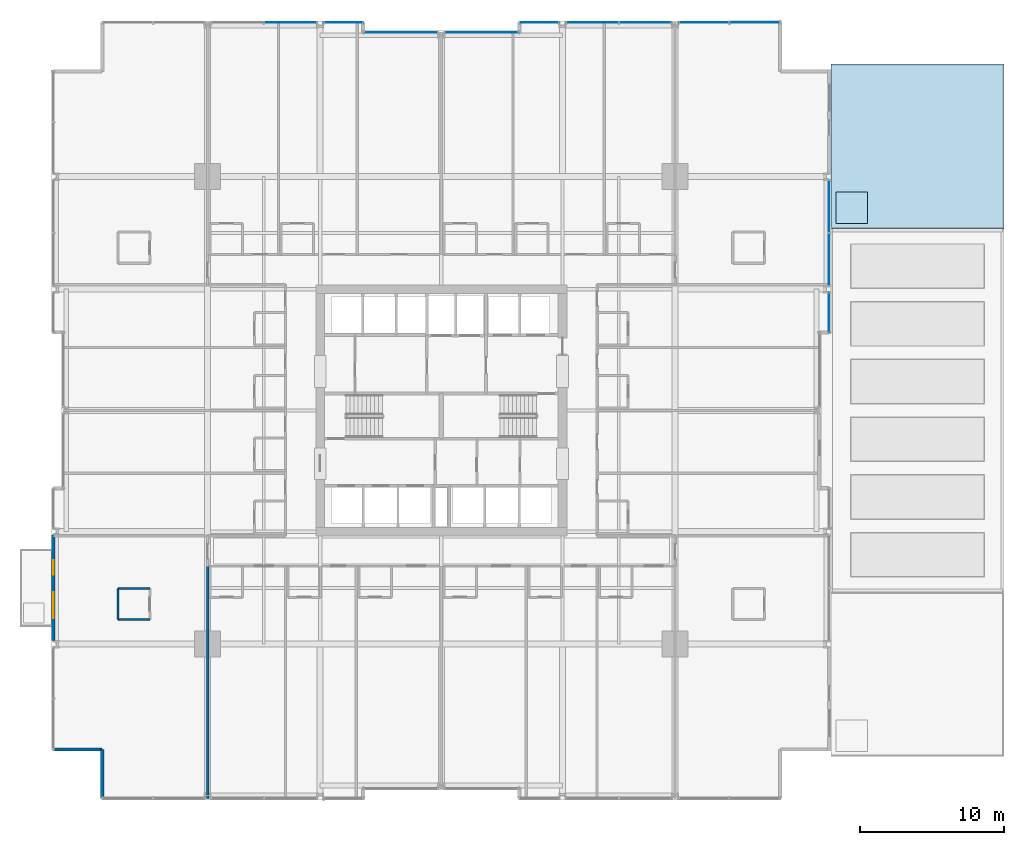
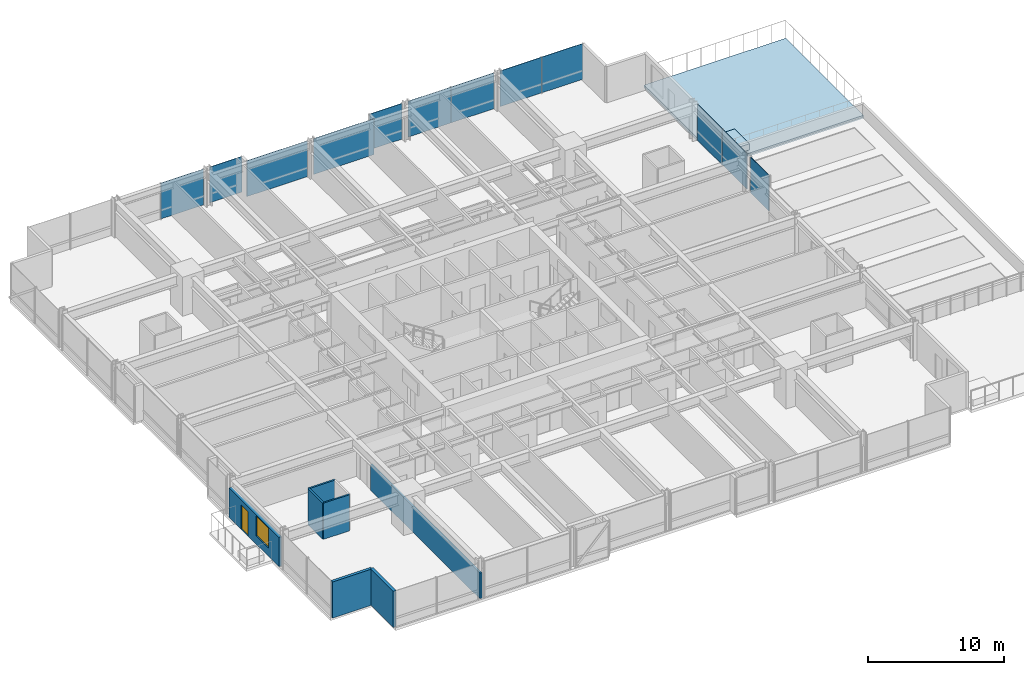
# One storey, part 30 of 42: 12 plates, 7 walls, 2 slabs, 1 door, 1 window, 2 openings, 9 elements without a shape of their own.
"""IFC4 building model written with IfcOpenShell, lengths in metres."""

from ifc_helpers import new_model, si_unit, direction, frame, frame_2d, origin, origin_2d, place, context, subcontext, project, spatial, polyline, rectangle, outline, extrude, material, layer, layer_set, type_object, element, fill, aggregate, save


model = new_model("IFC4")

# Units and contexts
model_context = context("Model", 3, precision=1e-05, world=origin(), true_north=direction((0.0, 1.0)))
body_context = subcontext(model_context, "Body", "Model", "MODEL_VIEW")
ifc_project = project(units=[si_unit("LENGTHUNIT", "METRE"), si_unit("AREAUNIT", "SQUARE_METRE"), si_unit("VOLUMEUNIT", "CUBIC_METRE"), si_unit("PLANEANGLEUNIT", "RADIAN"), si_unit("MASSUNIT", "GRAM", prefix="KILO")], contexts=[model_context])

# Site, building, storey
site_placement = place(None, origin())
site = spatial("IfcSite", under=ifc_project, at=site_placement, CompositionType="ELEMENT")
building_placement = place(site_placement, origin())
building = spatial("IfcBuilding", under=site, at=building_placement, Name="Drelvath Grand Hotel", CompositionType="ELEMENT")
storey_placement = place(building_placement, frame((0.0, 0.0, 33.199951171875)))
storey = spatial("IfcBuildingStorey", under=building, at=storey_placement, Name="L06", CompositionType="ELEMENT", Elevation=33.199951171875)

# Curtain wall, plate
ifc_material_1 = material(Name="Warm Bronze Anodised Aluminium Frame", Category="aluminium")
ifc_layer_1 = layer(ifc_material_1, 0.199951171875)
ifc_layer_set_1 = layer_set([ifc_layer_1], Name="Warm Bronze Anodised Aluminium Frame")
curtain_wall_type = type_object("IfcCurtainWallType", Name="Stick Curtain Wall CW-02 Warm Bronze Low-Rise", PredefinedType="NOTDEFINED", material=ifc_layer_set_1)
curtain_wall_1_placement = place(storey_placement, origin())
curtain_wall_1 = element("IfcCurtainWall", 1, at=curtain_wall_1_placement, inside=storey, type_object=curtain_wall_type, Name="L06 CW-02 Curtain Wall CW02-L06-EN1", PredefinedType="NOTDEFINED")
ifc_material_2 = material(Name="Low-E Triple Silver Vision Glass Bronze Tint", Category="glass")
ifc_layer_2 = layer(ifc_material_2, 0.035888671875)
ifc_layer_set_2 = layer_set([ifc_layer_2], Name="Low-E Triple Silver Vision Glass Bronze Tint")
plate_type = type_object("IfcPlateType", Name="Curtain Wall Vision Panel CW-02 36mm", PredefinedType="CURTAIN_PANEL", material=ifc_layer_set_2)
plate_1_placement = place(storey_placement, frame((26.8798828125, 33.779541015625, 0.02001953125), z_axis=(0.0, 0.0, 1.0), x_axis=(0.0, -1.0, 0.0)))
plate_1 = element("IfcPlate", 2, at=plate_1_placement, type_object=plate_type, Name="CW02-L06-EN1 Glazed Panel 1", PredefinedType="CURTAIN_PANEL", context=body_context, shape_type="SweptSolid", body=[
    extrude(rectangle(XDim=2.718994140625, YDim=0.035888671875, at=origin_2d()), origin(), (0.0, 0.0, 1.0), 3.199951171875),
])
aggregate(curtain_wall_1, [plate_1])

# Curtain wall, plates
curtain_wall_2_placement = place(storey_placement, origin())
curtain_wall_2 = element("IfcCurtainWall", 3, at=curtain_wall_2_placement, inside=storey, type_object=curtain_wall_type, Name="L06 CW-02 Curtain Wall CW02-L06-EN2", PredefinedType="NOTDEFINED")
plate_2_placement = place(storey_placement, frame((26.8798828125, 41.129638671875, 0.02001953125), z_axis=(0.0, 0.0, 1.0), x_axis=(0.0, -1.0, 0.0)))
plate_2 = element("IfcPlate", 4, at=plate_2_placement, type_object=plate_type, Name="CW02-L06-EN2 Glazed Panel 1", PredefinedType="CURTAIN_PANEL", context=body_context, shape_type="SweptSolid", body=[
    extrude(rectangle(XDim=3.619140625, YDim=0.035888671875, at=origin_2d()), origin(), (0.0, 0.0, 1.0), 3.199951171875),
])
plate_3_placement = place(storey_placement, frame((26.8798828125, 37.470458984375, 0.02001953125), z_axis=(0.0, 0.0, 1.0), x_axis=(0.0, -1.0, 0.0)))
plate_3 = element("IfcPlate", 5, at=plate_3_placement, type_object=plate_type, Name="CW02-L06-EN2 Glazed Panel 2", PredefinedType="CURTAIN_PANEL", context=body_context, shape_type="SweptSolid", body=[
    extrude(rectangle(XDim=3.619140625, YDim=0.035888671875, at=origin_2d()), origin(), (0.0, 0.0, 1.0), 3.199951171875),
])
aggregate(curtain_wall_2, [plate_2, plate_3])

# Curtain wall, plate
curtain_wall_3_placement = place(storey_placement, origin())
curtain_wall_3 = element("IfcCurtainWall", 6, at=curtain_wall_3_placement, inside=storey, type_object=curtain_wall_type, Name="L06 CW-02 Curtain Wall CW02-L06-NW2", PredefinedType="NOTDEFINED")
plate_4_placement = place(storey_placement, frame((-10.470458984375, 53.8798828125, 0.02001953125), z_axis=(0.0, 0.0, 1.0), x_axis=(1.0, 0.0, 0.0)))
plate_4 = element("IfcPlate", 7, at=plate_4_placement, type_object=plate_type, Name="CW02-L06-NW2 Glazed Panel 2", PredefinedType="CURTAIN_PANEL", context=body_context, shape_type="SweptSolid", body=[
    extrude(rectangle(XDim=3.619140625, YDim=0.035888671875, at=origin_2d()), origin(), (0.0, 0.0, 1.0), 3.199951171875),
])
aggregate(curtain_wall_3, [plate_4])

curtain_wall_4_placement = place(storey_placement, origin())
curtain_wall_4 = element("IfcCurtainWall", 8, at=curtain_wall_4_placement, inside=storey, type_object=curtain_wall_type, Name="L06 CW-02 Curtain Wall CW02-L06-NW3", PredefinedType="NOTDEFINED")
plate_5_placement = place(storey_placement, frame((-6.779541015625, 53.8798828125, 0.02001953125), z_axis=(0.0, 0.0, 1.0), x_axis=(1.0, 0.0, 0.0)))
plate_5 = element("IfcPlate", 9, at=plate_5_placement, type_object=plate_type, Name="CW02-L06-NW3 Glazed Panel 1", PredefinedType="CURTAIN_PANEL", context=body_context, shape_type="SweptSolid", body=[
    extrude(rectangle(XDim=2.718994140625, YDim=0.035888671875, at=origin_2d()), origin(), (0.0, 0.0, 1.0), 3.199951171875),
])
aggregate(curtain_wall_4, [plate_5])

curtain_wall_5_placement = place(storey_placement, origin())
curtain_wall_5 = element("IfcCurtainWall", 10, at=curtain_wall_5_placement, inside=storey, type_object=curtain_wall_type, Name="L06 CW-02 Curtain Wall CW02-L06-NM1", PredefinedType="NOTDEFINED")
plate_6_placement = place(storey_placement, frame((-2.820556640625, 53.199951171875, 0.02001953125), z_axis=(0.0, 0.0, 1.0), x_axis=(1.0, 0.0, 0.0)))
plate_6 = element("IfcPlate", 11, at=plate_6_placement, type_object=plate_type, Name="CW02-L06-NM1 Glazed Panel 1", PredefinedType="CURTAIN_PANEL", context=body_context, shape_type="SweptSolid", body=[
    extrude(rectangle(XDim=5.119140625, YDim=0.035888671875, at=origin_2d()), origin(), (0.0, 0.0, 1.0), 3.199951171875),
])
aggregate(curtain_wall_5, [plate_6])

curtain_wall_6_placement = place(storey_placement, origin())
curtain_wall_6 = element("IfcCurtainWall", 12, at=curtain_wall_6_placement, inside=storey, type_object=curtain_wall_type, Name="L06 CW-02 Curtain Wall CW02-L06-NM2", PredefinedType="NOTDEFINED")
plate_7_placement = place(storey_placement, frame((2.820556640625, 53.199951171875, 0.02001953125), z_axis=(0.0, 0.0, 1.0), x_axis=(1.0, 0.0, 0.0)))
plate_7 = element("IfcPlate", 13, at=plate_7_placement, type_object=plate_type, Name="CW02-L06-NM2 Glazed Panel 1", PredefinedType="CURTAIN_PANEL", context=body_context, shape_type="SweptSolid", body=[
    extrude(rectangle(XDim=5.119140625, YDim=0.035888671875, at=origin_2d()), origin(), (0.0, 0.0, 1.0), 3.199951171875),
])
aggregate(curtain_wall_6, [plate_7])

curtain_wall_7_placement = place(storey_placement, origin())
curtain_wall_7 = element("IfcCurtainWall", 14, at=curtain_wall_7_placement, inside=storey, type_object=curtain_wall_type, Name="L06 CW-02 Curtain Wall CW02-L06-NE1", PredefinedType="NOTDEFINED")
plate_8_placement = place(storey_placement, frame((6.779541015625, 53.8798828125, 0.02001953125), z_axis=(0.0, 0.0, 1.0), x_axis=(1.0, 0.0, 0.0)))
plate_8 = element("IfcPlate", 15, at=plate_8_placement, type_object=plate_type, Name="CW02-L06-NE1 Glazed Panel 1", PredefinedType="CURTAIN_PANEL", context=body_context, shape_type="SweptSolid", body=[
    extrude(rectangle(XDim=2.718994140625, YDim=0.035888671875, at=origin_2d()), origin(), (0.0, 0.0, 1.0), 3.199951171875),
])
aggregate(curtain_wall_7, [plate_8])

# Curtain wall, plates
curtain_wall_8_placement = place(storey_placement, origin())
curtain_wall_8 = element("IfcCurtainWall", 16, at=curtain_wall_8_placement, inside=storey, type_object=curtain_wall_type, Name="L06 CW-02 Curtain Wall CW02-L06-NE2", PredefinedType="NOTDEFINED")
plate_9_placement = place(storey_placement, frame((10.470458984375, 53.8798828125, 0.02001953125), z_axis=(0.0, 0.0, 1.0), x_axis=(1.0, 0.0, 0.0)))
plate_9 = element("IfcPlate", 17, at=plate_9_placement, type_object=plate_type, Name="CW02-L06-NE2 Glazed Panel 1", PredefinedType="CURTAIN_PANEL", context=body_context, shape_type="SweptSolid", body=[
    extrude(rectangle(XDim=3.619140625, YDim=0.035888671875, at=origin_2d()), origin(), (0.0, 0.0, 1.0), 3.199951171875),
])
plate_10_placement = place(storey_placement, frame((14.129638671875, 53.8798828125, 0.02001953125), z_axis=(0.0, 0.0, 1.0), x_axis=(1.0, 0.0, 0.0)))
plate_10 = element("IfcPlate", 18, at=plate_10_placement, type_object=plate_type, Name="CW02-L06-NE2 Glazed Panel 2", PredefinedType="CURTAIN_PANEL", context=body_context, shape_type="SweptSolid", body=[
    extrude(rectangle(XDim=3.619140625, YDim=0.035888671875, at=origin_2d()), origin(), (0.0, 0.0, 1.0), 3.199951171875),
])
aggregate(curtain_wall_8, [plate_9, plate_10])

curtain_wall_9_placement = place(storey_placement, origin())
curtain_wall_9 = element("IfcCurtainWall", 19, at=curtain_wall_9_placement, inside=storey, type_object=curtain_wall_type, Name="L06 CW-02 Curtain Wall CW02-L06-NE3", PredefinedType="NOTDEFINED")
plate_11_placement = place(storey_placement, frame((18.205810546875, 53.8798828125, 0.02001953125), z_axis=(0.0, 0.0, 1.0), x_axis=(1.0, 0.0, 0.0)))
plate_11 = element("IfcPlate", 20, at=plate_11_placement, type_object=plate_type, Name="CW02-L06-NE3 Glazed Panel 1", PredefinedType="CURTAIN_PANEL", context=body_context, shape_type="SweptSolid", body=[
    extrude(rectangle(XDim=3.489501953125, YDim=0.035888671875, at=origin_2d()), origin(), (0.0, 0.0, 1.0), 3.199951171875),
])
plate_12_placement = place(storey_placement, frame((21.735107421875, 53.8798828125, 0.02001953125), z_axis=(0.0, 0.0, 1.0), x_axis=(1.0, 0.0, 0.0)))
plate_12 = element("IfcPlate", 21, at=plate_12_placement, type_object=plate_type, Name="CW02-L06-NE3 Glazed Panel 2", PredefinedType="CURTAIN_PANEL", context=body_context, shape_type="SweptSolid", body=[
    extrude(rectangle(XDim=3.489501953125, YDim=0.035888671875, at=origin_2d()), origin(), (0.0, 0.0, 1.0), 3.199951171875),
])
aggregate(curtain_wall_9, [plate_11, plate_12])

# Slabs
ifc_material_3 = material(Name="Concrete f'c 40 MPa", Category="concrete")
ifc_layer_3 = layer(ifc_material_3, 0.260009765625)
ifc_layer_set_3 = layer_set([ifc_layer_3], Name="Concrete f'c 40 MPa")
slab_type_1 = type_object("IfcSlabType", Name="Planted Terrace Structural Slab 260", PredefinedType="FLOOR", material=ifc_layer_set_3)
slab_1_placement = place(storey_placement, frame((0.0, 0.0, -0.260009765625)))
element("IfcSlab", 22, at=slab_1_placement, inside=storey, type_object=slab_type_1, Name="L06 Setback Roof Garden Terrace Slab 2", PredefinedType="FLOOR", context=body_context, shape_type="SweptSolid", body=[
    extrude(outline(polyline([(27.0, 39.60009765625), (39.0, 39.60009765625), (39.0, 51.0), (27.0, 51.0), (27.0, 39.60009765625)])), origin(), (0.0, 0.0, 1.0), 0.260009765625),
])
ifc_layer_4 = layer(ifc_material_3, 0.550048828125)
ifc_layer_set_4 = layer_set([ifc_layer_4], Name="Concrete f'c 40 MPa")
slab_type_2 = type_object("IfcSlabType", Name="Structural Tree Planter Box 550", PredefinedType="USERDEFINED", material=ifc_layer_set_4)
slab_2_placement = place(storey_placement, origin())
element("IfcSlab", 23, at=slab_2_placement, inside=storey, type_object=slab_type_2, Name="L06 Setback Terrace Tree Planter 2", ObjectType="PLANTER", PredefinedType="USERDEFINED", context=body_context, shape_type="SweptSolid", body=[
    extrude(outline(polyline([(27.35009765625, 39.949951171875), (29.550048828125, 39.949951171875), (29.550048828125, 42.14990234375), (27.35009765625, 42.14990234375), (27.35009765625, 39.949951171875)])), origin(), (0.0, 0.0, 1.0), 0.550048828125),
])

# Walls
ifc_material_4 = material(Name="Moisture-Resistant Gypsum Board")
ifc_layer_5 = layer(ifc_material_4, 0.139892578125)
ifc_layer_set_5 = layer_set([ifc_layer_5], Name="Moisture-Resistant Gypsum Board")
wall_type_1 = type_object("IfcWallType", Name="En-Suite Plumbing Wall 140", PredefinedType="PLUMBINGWALL", material=ifc_layer_set_5)
for number, where, z_axis, x_axis, name in (
    (24, (-22.39990234375, 12.5, 0.0), (0.0, 0.0, 1.0), (1.0, 0.0, 0.0), "L06 Corner En-Suite South"),
    (25, (-22.39990234375, 14.64990234375, 0.0), (0.0, 0.0, 1.0), (1.0, 0.0, 0.0), "L06 Corner En-Suite North"),
):
    element("IfcWall", number, at=place(storey_placement, frame(where, z_axis=z_axis, x_axis=x_axis)), inside=storey, type_object=wall_type_1, Name=name, PredefinedType="PLUMBINGWALL", context=body_context, shape_type="SweptSolid", body=[
        extrude(rectangle(XDim=2.199951171875, YDim=0.139892578125, at=frame_2d((1.10009765625, 0.0))), origin(), (0.0, 0.0, 1.0), 3.239990234375),
    ])
wall_1_placement = place(storey_placement, frame((-22.39990234375, 12.5, 0.0), z_axis=(0.0, 0.0, 1.0), x_axis=(0.0, 1.0, 0.0)))
element("IfcWall", 26, at=wall_1_placement, inside=storey, type_object=wall_type_1, Name="L06 Corner En-Suite West", PredefinedType="PLUMBINGWALL", context=body_context, shape_type="SweptSolid", body=[
    extrude(rectangle(XDim=2.14990234375, YDim=0.139892578125, at=frame_2d((1.074951171875, 0.0))), origin(), (0.0, 0.0, 1.0), 3.239990234375),
])
ifc_material_5 = material(Name="Gypsum Acoustic Partition")
ifc_layer_6 = layer(ifc_material_5, 0.1650390625)
ifc_layer_set_6 = layer_set([ifc_layer_6], Name="Gypsum Acoustic Partition")
wall_type_2 = type_object("IfcWallType", Name="Suite Demising Wall 165", PredefinedType="PARTITIONING", material=ifc_layer_set_6)
wall_2_placement = place(storey_placement, frame((-16.199951171875, 0.1201171875, 0.0), z_axis=(0.0, 0.0, 1.0), x_axis=(0.0, 1.0, 0.0)))
element("IfcWall", 27, at=wall_2_placement, inside=storey, type_object=wall_type_2, Name="L06 SW Wing Boundary Wall", PredefinedType="PARTITIONING", context=body_context, shape_type="SweptSolid", body=[
    extrude(rectangle(XDim=16.079833984375, YDim=0.1650390625, at=frame_2d((8.0400390625, 0.0))), origin(), (0.0, 0.0, 1.0), 2.29833984375),
])

# Wall, openings, window, door
ifc_material_6 = material(Name="Pale-Metal Insulated Aluminium Spandrel Assembly", Category="aluminium")
ifc_layer_7 = layer(ifc_material_6, 0.239990234375)
ifc_layer_set_7 = layer_set([ifc_layer_7], Name="Pale-Metal Insulated Aluminium Spandrel Assembly")
wall_type_3 = type_object("IfcWallType", Name="Tower Insulated Metal Spandrel Closure Wall 240", PredefinedType="STANDARD", material=ifc_layer_set_7)
wall_3_placement = place(storey_placement, frame((-26.8798828125, 11.041015625, 0.0), z_axis=(0.0, 0.0, 1.0), x_axis=(0.0, 1.0, 0.0)))
wall_3 = element("IfcWall", 28, at=wall_3_placement, inside=storey, type_object=wall_type_3, Name="L06 Exterior Terrace Door Bay Wall WS2", PredefinedType="STANDARD", context=body_context, shape_type="SweptSolid", body=[
    extrude(rectangle(XDim=7.318115234375, YDim=0.239990234375, at=frame_2d((3.6591796875, 0.0))), origin(), (0.0, 0.0, 1.0), 2.629150390625),
])
opening_1_placement = place(wall_3_placement, frame((4.55908203125, 0.0, 0.0)))
opening_1 = element("IfcOpeningElement", 29, at=opening_1_placement, cuts=wall_3, Name="Opening TD-1000", PredefinedType="OPENING", context=body_context, shape_type="SweptSolid", body=[
    extrude(rectangle(XDim=1.0, YDim=2.199951171875, at=frame_2d((0.5, 1.10009765625))), frame((0.0, 0.1298828125, 0.0), z_axis=(0.0, -1.0, 0.0), x_axis=(1.0, 0.0, 0.0)), (0.0, 0.0, 1.0), 0.260009765625),
])
opening_2_placement = place(wall_3_placement, frame((1.552490234375, 0.0, 0.75)))
opening_2 = element("IfcOpeningElement", 30, at=opening_2_placement, cuts=wall_3, Name="Opening W-02", PredefinedType="OPENING", context=body_context, shape_type="SweptSolid", body=[
    extrude(rectangle(XDim=1.800048828125, YDim=1.779052734375, at=frame_2d((0.89990234375, 0.8896484375))), frame((0.0, 0.1298828125, 0.0), z_axis=(0.0, -1.0, 0.0), x_axis=(1.0, 0.0, 0.0)), (0.0, 0.0, 1.0), 0.260009765625),
])
ifc_material_7 = material(Name="Bronze Anodised Low-E Triple Glazing", Category="glass")
window_type = type_object("IfcWindowType", Name="Chicago Double-Pane Podium Window 1800x2400", PartitioningType="DOUBLE_PANEL_VERTICAL", PredefinedType="WINDOW", material=ifc_material_7)
window_placement = place(opening_2_placement, origin())
window = element("IfcWindow", 31, at=window_placement, inside=storey, type_object=window_type, Name="L06 Terrace Bay Companion Window WS2", OverallHeight=1.779052734375, OverallWidth=1.800048828125, PartitioningType="SINGLE_PANEL", PredefinedType="WINDOW", context=body_context, shape_type="SweptSolid", body=[
    extrude(rectangle(XDim=1.800048828125, YDim=1.779052734375, at=frame_2d((0.89990234375, 0.8896484375))), frame((0.0, 0.030029296875, 0.0), z_axis=(0.0, -1.0, 0.0), x_axis=(1.0, 0.0, 0.0)), (0.0, 0.0, 1.0), 0.06005859375),
])
fill(opening_2, window)
ifc_material_8 = material(Name="Anodised Aluminium Thermally Broken Glazed Door", Category="aluminium")
door_type = type_object("IfcDoorType", Name="Terrace and Tree Balcony Glazed Door 1000x2200", OperationType="NOTDEFINED", PredefinedType="DOOR", material=ifc_material_8)
door_placement = place(opening_1_placement, origin())
door = element("IfcDoor", 32, at=door_placement, inside=storey, type_object=door_type, Name="L06 Tree Balcony Door DOOR-L06-TBAL-1", OperationType="SINGLE_SWING_RIGHT", OverallHeight=2.199951171875, OverallWidth=1.0, PredefinedType="DOOR", context=body_context, shape_type="SweptSolid", body=[
    extrude(rectangle(XDim=1.0, YDim=2.199951171875, at=frame_2d((0.5, 1.10009765625))), frame((0.0, 0.02490234375, 0.0), z_axis=(0.0, -1.0, 0.0), x_axis=(1.0, 0.0, 0.0)), (0.0, 0.0, 1.0), 0.050048828125),
])
fill(opening_1, door)

# Walls
for number, where, z_axis, x_axis, name in (
    (33, (-23.5, 0.1201171875, 0.0), (0.0, 0.0, 1.0), (0.0, 1.0, 0.0), "L06 Notched Corner Return Spandrel Wall CSW1"),
    (34, (-23.5, 3.5, 0.0), (0.0, 0.0, 1.0), (-1.0, 0.0, 0.0), "L06 Notched Corner Return Spandrel Wall CSW2"),
):
    element("IfcWall", number, at=place(storey_placement, frame(where, z_axis=z_axis, x_axis=x_axis)), inside=storey, type_object=wall_type_3, Name=name, PredefinedType="STANDARD", context=body_context, shape_type="SweptSolid", body=[
        extrude(rectangle(XDim=3.3798828125, YDim=0.239990234375, at=frame_2d((1.68994140625, 0.0))), origin(), (0.0, 0.0, 1.0), 3.239990234375),
    ])

save(model, "model.ifc")
